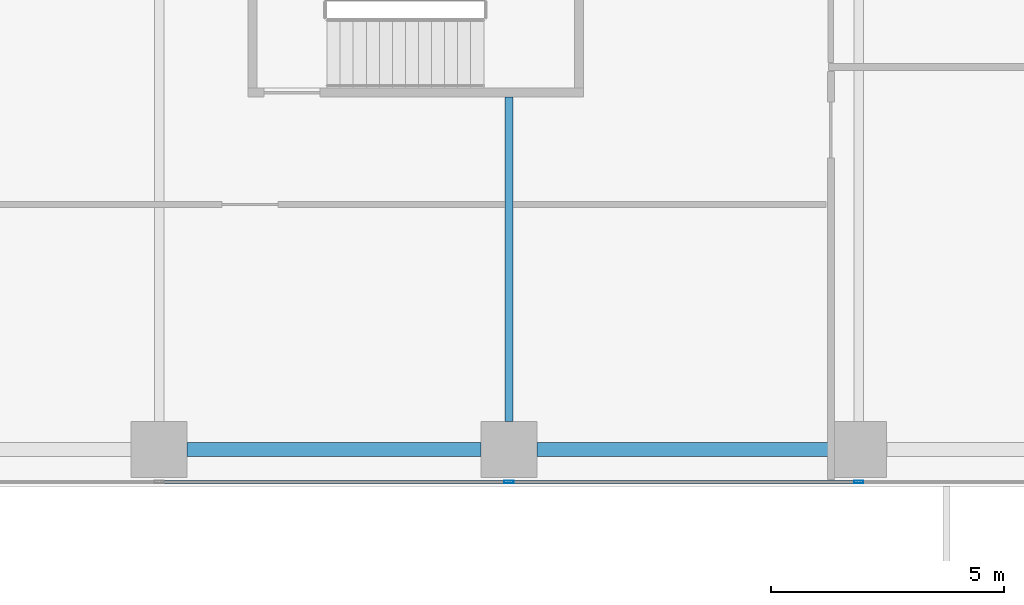
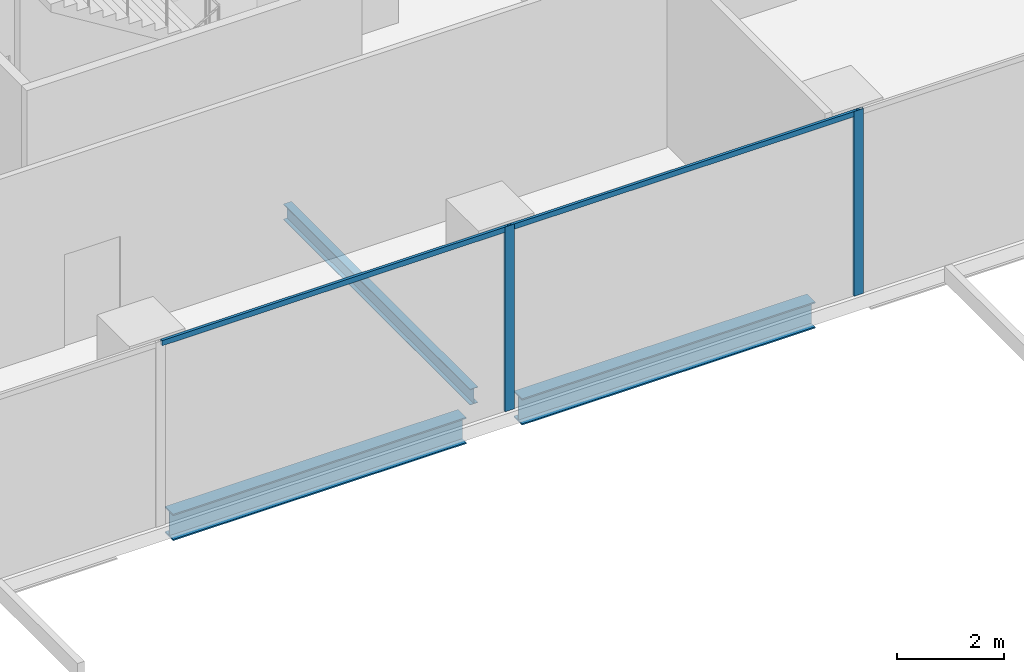
# One storey, part 3 of 33: 4 members, 3 beams, 1 element without a shape of its own.
"""IFC4 building model written with IfcOpenShell, lengths in metres."""

import ifcopenshell
import ifcopenshell.guid

model = None  # the IFC model being written
_history = None  # IfcOwnerHistory: only IFC2X3 demands one
_inside = {}  # id of a spatial element -> (the spatial element, [elements in it])
_under = {}  # id of a project, library or spatial element -> (it, [spatial elements below it])
_declared = {}  # id of a project -> (the project, [libraries it declares])
_typed = {}  # id of a type object -> (the type object, [elements of that type])
_made_of = {}  # id of a material, layer set ... -> (it, [elements and type objects made of it])


def new_model(schema):
    """Start an empty IFC model of exactly this schema.

    Asked for "IFC4X3", IfcOpenShell would pick the latest addendum, in which some entities
    have other attributes; the version numbers below select the first issue.
    IFC2X3 requires an IfcOwnerHistory on every rooted entity: one is made here for all.
    """
    global model, _history
    if schema == "IFC4X3":
        model = ifcopenshell.file(schema_version=(4, 3, 0, 0))
    else:
        model = ifcopenshell.file(schema=schema)
    _inside.clear()
    _under.clear()
    _declared.clear()
    _typed.clear()
    _made_of.clear()
    _history = None
    if model.schema == "IFC2X3":
        org = make("IfcOrganization", Name="unknown")
        user = make(
            "IfcPersonAndOrganization",
            ThePerson=make("IfcPerson", FamilyName="unknown"),
            TheOrganization=org,
        )
        app = make(
            "IfcApplication",
            ApplicationDeveloper=org,
            Version="unknown",
            ApplicationFullName="unknown",
            ApplicationIdentifier="unknown",
        )
        _history = make(
            "IfcOwnerHistory",
            OwningUser=user,
            OwningApplication=app,
            ChangeAction="ADDED",
            CreationDate=0,
        )
    return model


def make(cls, **values):
    """One entity of the class cls with the attributes given. An attribute that is None is left unset."""
    return model.create_entity(
        cls, **{name: value for name, value in values.items() if value is not None}
    )


def rooted(cls, **values):
    """An entity with a GlobalId (a new one), such as an element, a storey or a relation."""
    return make(cls, GlobalId=ifcopenshell.guid.new(), OwnerHistory=_history, **values)


def si_unit(unit_type, name, prefix=None):
    """IfcSIUnit, for example si_unit("LENGTHUNIT", "METRE", prefix="MILLI")."""
    return make("IfcSIUnit", UnitType=unit_type, Prefix=prefix, Name=name)


def assignment(units):
    """IfcUnitAssignment: the units of a project."""
    return None if units is None else make("IfcUnitAssignment", Units=units)


def point(xyz):
    """IfcCartesianPoint."""
    return None if xyz is None else make("IfcCartesianPoint", Coordinates=xyz)


def direction(xyz):
    """IfcDirection."""
    return None if xyz is None else make("IfcDirection", DirectionRatios=xyz)


def frame(location, z_axis=None, x_axis=None):
    """IfcAxis2Placement3D, a coordinate frame: its origin and axes. An axis left out is left unset."""
    return make(
        "IfcAxis2Placement3D",
        Location=point(location),
        Axis=direction(z_axis),
        RefDirection=direction(x_axis),
    )


def frame_2d(location, x_axis=None):
    """IfcAxis2Placement2D, a coordinate frame in the plane: its origin and x axis."""
    return make(
        "IfcAxis2Placement2D", Location=point(location), RefDirection=direction(x_axis)
    )


def origin():
    """The frame at (0, 0, 0) with its axes left unset."""
    return frame((0.0, 0.0, 0.0))


def origin_2d():
    """The frame at (0, 0) in the plane with its x axis left unset."""
    return frame_2d((0.0, 0.0))


def place(relative_to, where):
    """IfcLocalPlacement: puts the frame where relative to a parent placement (None: the world)."""
    return make(
        "IfcLocalPlacement", PlacementRelTo=relative_to, RelativePlacement=where
    )


def context(
    kind, dimensions, precision=None, world=None, true_north=None, identifier=None
):
    """IfcGeometricRepresentationContext, for example the 3D "Model" context."""
    return make(
        "IfcGeometricRepresentationContext",
        ContextIdentifier=identifier,
        ContextType=kind,
        CoordinateSpaceDimension=dimensions,
        Precision=precision,
        WorldCoordinateSystem=world,
        TrueNorth=true_north,
    )


def subcontext(parent, identifier, kind, view, scale=None):
    """IfcGeometricRepresentationSubContext, for example "Body" below "Model"."""
    return make(
        "IfcGeometricRepresentationSubContext",
        ContextIdentifier=identifier,
        ContextType=kind,
        ParentContext=parent,
        TargetScale=scale,
        TargetView=view,
    )


def project(units=None, contexts=None):
    """IfcProject with its units and contexts."""
    return rooted(
        "IfcProject",
        Name="project",
        RepresentationContexts=contexts,
        UnitsInContext=assignment(units),
    )


def spatial(cls, under=None, at=None, **own):
    """A site, building, storey or space (cls), placed at a placement, below another one or the project."""
    s = rooted(cls, ObjectPlacement=at, **own)
    if under is not None:
        _under.setdefault(under.id(), (under, []))[1].append(s)
    return s


def profile(cls, at=None, kind="AREA", **sizes):
    """A parametric profile (cls). Its sizes go by their IFC names, for example OverallWidth=200.0."""
    return make(cls, ProfileType=kind, Position=at, **sizes)


def hollow_rectangle(**sizes):
    """IfcRectangleHollowProfileDef."""
    return profile("IfcRectangleHollowProfileDef", **sizes)


def i_section(**sizes):
    """IfcIShapeProfileDef."""
    return profile("IfcIShapeProfileDef", **sizes)


def extrude(swept, where, along, depth):
    """IfcExtrudedAreaSolid: the profile swept, set in the frame where, extruded along a direction by depth."""
    return make(
        "IfcExtrudedAreaSolid",
        SweptArea=swept,
        Position=where,
        ExtrudedDirection=direction(along),
        Depth=depth,
    )


def shape(context_of_items, identifier, shape_type, items):
    """IfcShapeRepresentation: the items that make up one representation, for example the "Body"."""
    return make(
        "IfcShapeRepresentation",
        ContextOfItems=context_of_items,
        RepresentationIdentifier=identifier,
        RepresentationType=shape_type,
        Items=items,
    )


def source(mapping_origin, context_of_items, identifier, shape_type, items):
    """IfcRepresentationMap: a shape defined once, which mapped items show again and again."""
    return make(
        "IfcRepresentationMap",
        MappingOrigin=mapping_origin,
        MappedRepresentation=shape(context_of_items, identifier, shape_type, items),
    )


def transform(
    local_origin,
    x_axis=None,
    y_axis=None,
    z_axis=None,
    scale=None,
    scale2=None,
    scale3=None,
    uniform=True,
):
    """IfcCartesianTransformationOperator3D, or its non-uniform kind. x_axis, y_axis, z_axis: its Axis1, 2, 3."""
    if uniform:
        return make(
            "IfcCartesianTransformationOperator3D",
            Axis1=direction(x_axis),
            Axis2=direction(y_axis),
            LocalOrigin=point(local_origin),
            Scale=scale,
            Axis3=direction(z_axis),
        )
    return make(
        "IfcCartesianTransformationOperator3DnonUniform",
        Axis1=direction(x_axis),
        Axis2=direction(y_axis),
        LocalOrigin=point(local_origin),
        Scale=scale,
        Axis3=direction(z_axis),
        Scale2=scale2,
        Scale3=scale3,
    )


def mapped(mapping_source, mapping_target):
    """IfcMappedItem: shows the shape of a source again, moved by a transform."""
    return make(
        "IfcMappedItem", MappingSource=mapping_source, MappingTarget=mapping_target
    )


def material(Name=None, Category=None):
    """IfcMaterial."""
    return make("IfcMaterial", Name=Name, Category=Category)


def material_profile(
    of_material, cross_section, Name=None, Category=None, Priority=None
):
    """IfcMaterialProfile: a cross section and its material."""
    return make(
        "IfcMaterialProfile",
        Name=Name,
        Material=of_material,
        Profile=cross_section,
        Priority=Priority,
        Category=Category,
    )


def profile_set(profiles, Name=None, composite=None):
    """IfcMaterialProfileSet."""
    return make(
        "IfcMaterialProfileSet",
        Name=Name,
        MaterialProfiles=profiles,
        CompositeProfile=composite,
    )


def made_of(thing, what):
    """Note that an element or type object is made of a material, layer set ...; save() writes the relation."""
    if what is not None:
        _made_of.setdefault(what.id(), (what, []))[1].append(thing)
    return thing


def type_object(cls, material=None, **own):
    """A type object (cls), such as IfcWallType, which elements share."""
    return made_of(rooted(cls, **own), material)


def element(
    cls,
    number,
    at=None,
    inside=None,
    cuts=None,
    type_object=None,
    material=None,
    context=None,
    identifier="Body",
    shape_type=None,
    held_by="IfcProductDefinitionShape",
    body=None,
    shapes=None,
    **own,
):
    """One element of the class cls, such as IfcWall. Its Tag is "e" and its number.

    at: its placement. inside: the storey or other place that contains it. cuts: it is an
    opening in that element (IfcRelVoidsElement). A single representation is given by context,
    identifier, shape_type and body (its items); several are given by shapes. held_by: the class
    of the entity that holds the representations. save() writes the other relations.
    """
    e = rooted(cls, Tag="e%d" % number, ObjectPlacement=at, **own)
    if body is not None:
        shapes = [shape(context, identifier, shape_type, body)]
    if shapes is not None:
        e.Representation = make(held_by, Representations=shapes)
    if inside is not None:
        _inside.setdefault(inside.id(), (inside, []))[1].append(e)
    if cuts is not None:
        rooted(
            "IfcRelVoidsElement", RelatingBuildingElement=cuts, RelatedOpeningElement=e
        )
    if type_object is not None:
        _typed.setdefault(type_object.id(), (type_object, []))[1].append(e)
    return made_of(e, material)


def aggregate(whole, parts):
    """IfcRelAggregates: a whole, such as a stair, and the parts it consists of."""
    return rooted("IfcRelAggregates", RelatingObject=whole, RelatedObjects=parts)


def save(model, path):
    """Write the relations noted so far, then the file.

    IfcRelAggregates (storeys below a building ...), IfcRelContainedInSpatialStructure (elements
    in a storey), IfcRelDefinesByType, IfcRelAssociatesMaterial and IfcRelDeclares: one each for
    every whole, place, type object, material and project.
    """
    for whole, parts in _under.values():
        aggregate(whole, parts)
    for where, things in _inside.values():
        rooted(
            "IfcRelContainedInSpatialStructure",
            RelatedElements=things,
            RelatingStructure=where,
        )
    for kind, things in _typed.values():
        rooted("IfcRelDefinesByType", RelatedObjects=things, RelatingType=kind)
    for what, things in _made_of.values():
        rooted("IfcRelAssociatesMaterial", RelatedObjects=things, RelatingMaterial=what)
    for by, libraries in _declared.values():
        rooted("IfcRelDeclares", RelatingContext=by, RelatedDefinitions=libraries)
    model.write(path)


model = new_model("IFC4")

# Units and contexts
model_context = context("Model", 3, precision=1e-05, world=origin(), true_north=direction((0.0, 1.0)))
body_context = subcontext(model_context, "Body", "Model", "MODEL_VIEW")
ifc_project = project(units=[si_unit("LENGTHUNIT", "METRE"), si_unit("AREAUNIT", "SQUARE_METRE"), si_unit("VOLUMEUNIT", "CUBIC_METRE"), si_unit("PLANEANGLEUNIT", "RADIAN"), si_unit("MASSUNIT", "GRAM", prefix="KILO")], contexts=[model_context])

# Site, building, storey
site_placement = place(None, origin())
site = spatial("IfcSite", under=ifc_project, at=site_placement, CompositionType="ELEMENT")
building_placement = place(site_placement, origin())
building = spatial("IfcBuilding", under=site, at=building_placement, Name="Khomas Fold Tower", CompositionType="ELEMENT")
storey_placement = place(building_placement, frame((0.0, 0.0, 82.5)))
storey = spatial("IfcBuildingStorey", under=building, at=storey_placement, Name="L17", CompositionType="ELEMENT", Elevation=82.5)

# Beams
ifc_material_1 = material(Name="Steel S355", Category="steel")
ifc_material_profile_1 = material_profile(ifc_material_1, i_section(OverallWidth=0.169921875, OverallDepth=0.360107421875, WebThickness=0.008056640625, FlangeThickness=0.0126953125, at=origin_2d()), Name="IPE 360")
ifc_profile_set_1 = profile_set([ifc_material_profile_1], Name="Steel S355")
beam_type_1 = type_object("IfcBeamType", Name="IPE 360 beam JB2", PredefinedType="BEAM", material=ifc_profile_set_1)
shared_shape_1 = source(origin(), body_context, "Body", "SweptSolid", [
    extrude(i_section(OverallWidth=0.169921875, OverallDepth=0.360107421875, WebThickness=0.008056640625, FlangeThickness=0.0126953125, at=origin_2d()), origin(), (0.0, 0.0, 1.0), 6.9501953125),
])
beam_placement = place(storey_placement, frame((19.5, 1.39990234375, -0.47998046875), z_axis=(0.0, 1.0, 0.0), x_axis=(-1.0, 0.0, 0.0)))
element("IfcBeam", 1, at=beam_placement, inside=storey, type_object=beam_type_1, Name="JB2", PredefinedType="BEAM", context=body_context, shape_type="MappedRepresentation", body=[
    mapped(shared_shape_1, transform((0.0, 0.0, 0.0))),
])
ifc_material_2 = material(Name="Steel S355", Category="steel")
ifc_material_profile_2 = material_profile(ifc_material_2, i_section(OverallWidth=0.300048828125, OverallDepth=0.60009765625, WebThickness=0.015380859375, FlangeThickness=0.030029296875, at=origin_2d()), Name="HE 600 B")
ifc_profile_set_2 = profile_set([ifc_material_profile_2], Name="Steel S355")
beam_type_2 = type_object("IfcBeamType", Name="HE 600 B spandrel SB1", PredefinedType="SPANDREL", material=ifc_profile_set_2)
shared_shape_2 = source(origin(), body_context, "Body", "SweptSolid", [
    extrude(i_section(OverallWidth=0.300048828125, OverallDepth=0.60009765625, WebThickness=0.015380859375, FlangeThickness=0.030029296875, at=origin_2d()), origin(), (0.0, 0.0, 1.0), 6.2998046875),
])
for number, where, z_axis, x_axis, name in (
    (2, (12.60009765625, 0.800048828125, -0.60009765625), (1.0, 0.0, 0.0), (0.0, 1.0, 0.0), "SB1"),
    (3, (20.10009765625, 0.800048828125, -0.60009765625), (1.0, 0.0, 0.0), (0.0, 1.0, 0.0), "SB1"),
):
    element("IfcBeam", number, at=place(storey_placement, frame(where, z_axis=z_axis, x_axis=x_axis)), inside=storey, type_object=beam_type_2, Name=name, PredefinedType="SPANDREL", context=body_context, shape_type="MappedRepresentation", body=[
        mapped(shared_shape_2, transform((0.0, 0.0, 0.0))),
    ])

# Curtain wall, members
ifc_material_3 = material(Name="Aluminium framed double glazing", Category="aluminium")
curtain_wall_type = type_object("IfcCurtainWallType", Name="SK-Unitised clear-glass wall, growing floors CW1", PredefinedType="NOTDEFINED", material=ifc_material_3)
curtain_wall_placement = place(storey_placement, origin())
curtain_wall = element("IfcCurtainWall", 4, at=curtain_wall_placement, inside=storey, type_object=curtain_wall_type, Name="CW1 run L17 00-0", PredefinedType="NOTDEFINED")
ifc_material_4 = material(Name="Aluminium", Category="aluminium")
ifc_material_profile_3 = material_profile(ifc_material_4, hollow_rectangle(XDim=0.06005859375, YDim=0.1201171875, WallThickness=0.00390625, at=origin_2d()), Name="SK-Unitised clear-glass wall, growing floors transom CW1-T")
ifc_profile_set_3 = profile_set([ifc_material_profile_3], Name="Aluminium")
member_type_1 = type_object("IfcMemberType", Name="SK-Unitised clear-glass wall, growing floors transom CW1-T", PredefinedType="USERDEFINED", material=ifc_profile_set_3)
shared_shape_3 = source(origin(), body_context, "Body", "SweptSolid", [
    extrude(hollow_rectangle(XDim=0.06005859375, YDim=0.1201171875, WallThickness=0.00390625, at=origin_2d()), origin(), (0.0, 0.0, 1.0), 7.43994140625),
])
member_1_placement = place(storey_placement, frame((12.030029296875, 0.10009765625, 4.139892578125), z_axis=(1.0, 0.0, 0.0), x_axis=(0.0, 1.0, 0.0)))
member_1 = element("IfcMember", 5, at=member_1_placement, type_object=member_type_1, Name="CW1 transom 3", ObjectType="TRANSOM", PredefinedType="USERDEFINED", context=body_context, shape_type="MappedRepresentation", body=[
    mapped(shared_shape_3, transform((0.0, 0.0, 0.0))),
])
member_2_placement = place(storey_placement, frame((19.530029296875, 0.10009765625, 4.139892578125), z_axis=(1.0, 0.0, 0.0), x_axis=(0.0, 1.0, 0.0)))
member_2 = element("IfcMember", 6, at=member_2_placement, type_object=member_type_1, Name="CW1 transom 4", ObjectType="TRANSOM", PredefinedType="USERDEFINED", context=body_context, shape_type="MappedRepresentation", body=[
    mapped(shared_shape_3, transform((0.0, 0.0, 0.0))),
])
ifc_material_5 = material(Name="Aluminium", Category="aluminium")
ifc_material_profile_4 = material_profile(ifc_material_5, hollow_rectangle(XDim=0.06005859375, YDim=0.199951171875, WallThickness=0.00390625, at=origin_2d()), Name="SK-Unitised clear-glass wall, growing floors mullion CW1-M")
ifc_profile_set_4 = profile_set([ifc_material_profile_4], Name="Aluminium")
member_type_2 = type_object("IfcMemberType", Name="SK-Unitised clear-glass wall, growing floors mullion CW1-M", PredefinedType="MULLION", material=ifc_profile_set_4)
shared_shape_4 = source(origin(), body_context, "Body", "SweptSolid", [
    extrude(hollow_rectangle(XDim=0.06005859375, YDim=0.199951171875, WallThickness=0.00390625, at=origin_2d()), origin(), (0.0, 0.0, 1.0), 4.199951171875),
])
member_3_placement = place(storey_placement, frame((19.5, 0.10009765625, 0.0), z_axis=(0.0, 0.0, 1.0), x_axis=(0.0, 1.0, 0.0)))
member_3 = element("IfcMember", 7, at=member_3_placement, type_object=member_type_2, Name="CW1 mullion 4", PredefinedType="MULLION", context=body_context, shape_type="MappedRepresentation", body=[
    mapped(shared_shape_4, transform((0.0, 0.0, 0.0))),
])
member_4_placement = place(storey_placement, frame((27.0, 0.10009765625, 0.0), z_axis=(0.0, 0.0, 1.0), x_axis=(0.0, 1.0, 0.0)))
member_4 = element("IfcMember", 8, at=member_4_placement, type_object=member_type_2, Name="CW1 mullion 5", PredefinedType="MULLION", context=body_context, shape_type="MappedRepresentation", body=[
    mapped(shared_shape_4, transform((0.0, 0.0, 0.0))),
])
aggregate(curtain_wall, [member_3, member_4, member_1, member_2])

save(model, "model.ifc")
